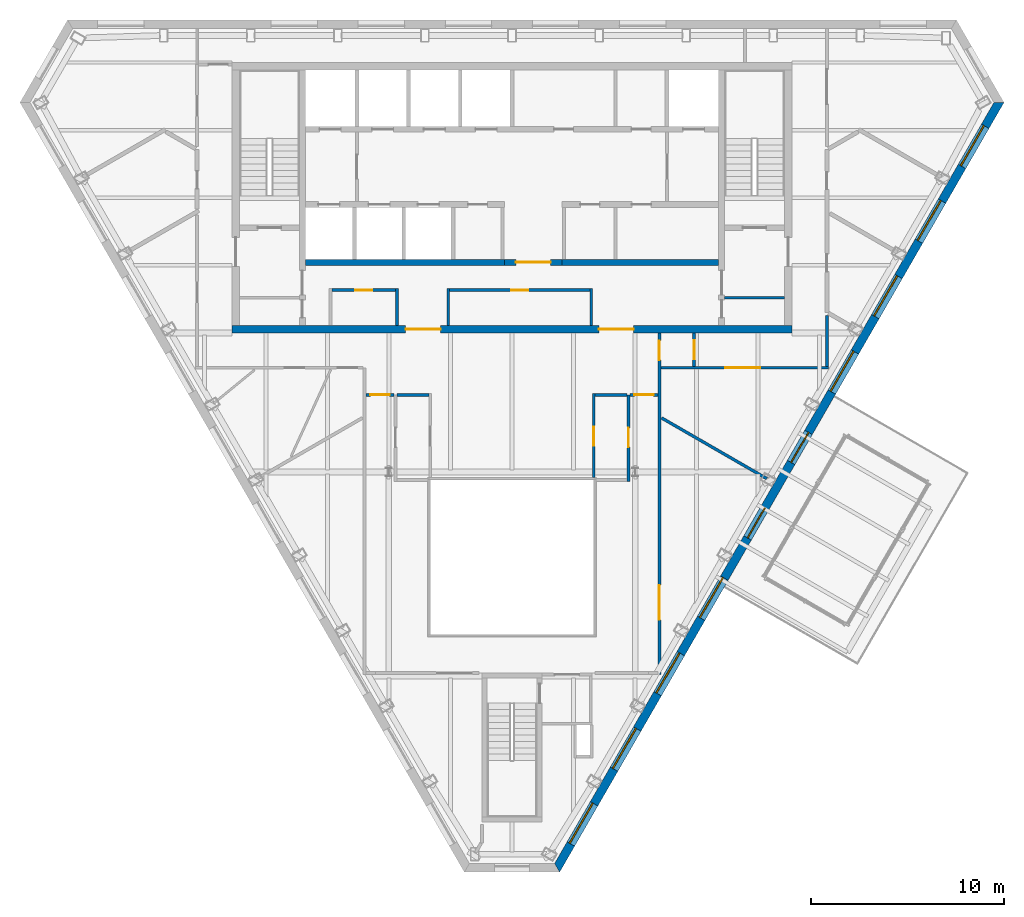
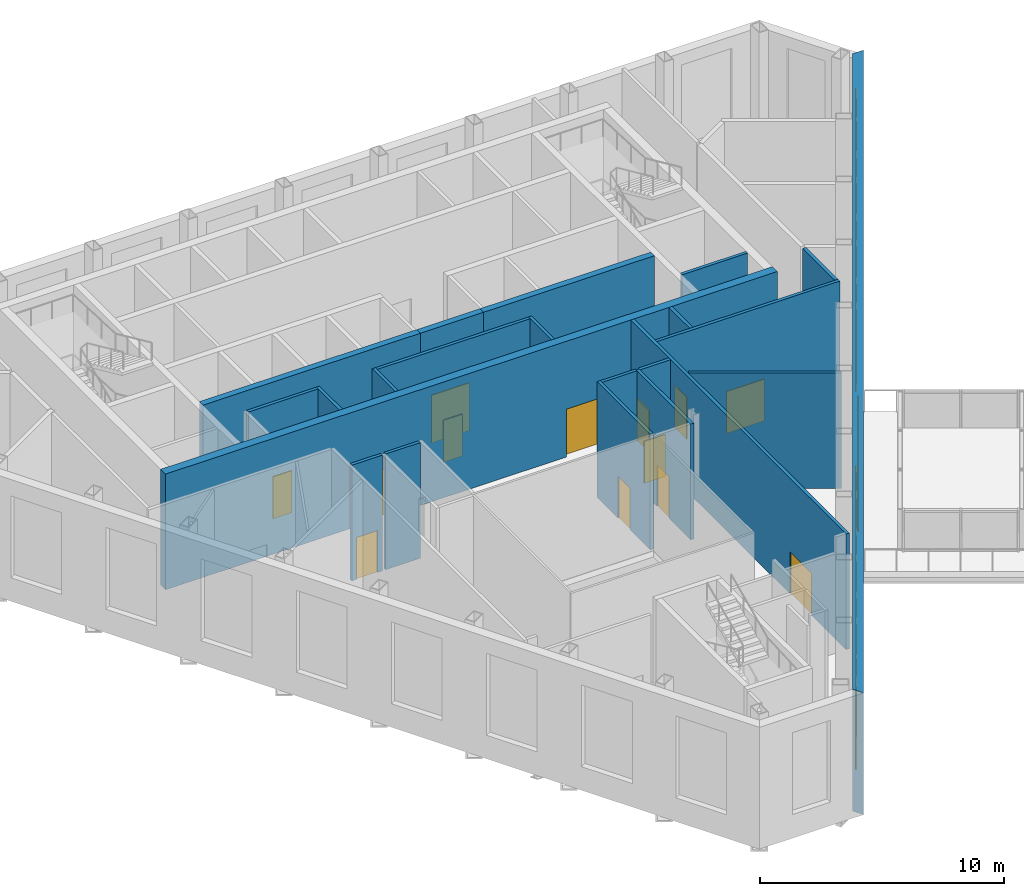
# One storey, part 6 of 11: 22 walls, 15 doors, 8 windows, 23 openings.
"""IFC4 building model written with IfcOpenShell, lengths in metres."""

from ifc_helpers import new_model, si_unit, direction, frame, frame_2d, origin, place, context, subcontext, project, spatial, polyline, rectangle, outline, extrude, material, layer, layer_set, type_object, element, fill, save


model = new_model("IFC4")

# Units and contexts
model_context = context("Model", 3, precision=1e-05, world=origin(), true_north=direction((0.0, 1.0)))
body_context = subcontext(model_context, "Body", "Model", "MODEL_VIEW")
ifc_project = project(units=[si_unit("LENGTHUNIT", "METRE"), si_unit("AREAUNIT", "SQUARE_METRE"), si_unit("VOLUMEUNIT", "CUBIC_METRE"), si_unit("PLANEANGLEUNIT", "RADIAN"), si_unit("MASSUNIT", "GRAM", prefix="KILO")], contexts=[model_context])

# Site, building, storey
site_placement = place(None, origin())
site = spatial("IfcSite", under=ifc_project, at=site_placement, CompositionType="ELEMENT")
building_placement = place(site_placement, origin())
building = spatial("IfcBuilding", under=site, at=building_placement, Name="Njiva Tower", CompositionType="ELEMENT")
storey_placement = place(building_placement, frame((0.0, 0.0, 298.2)))
storey = spatial("IfcBuildingStorey", under=building, at=storey_placement, Name="L68", CompositionType="ELEMENT", Elevation=298.2)

# Walls
ifc_material_1 = material(Name="Blockwork", Category="masonry")
ifc_layer_1 = layer(ifc_material_1, 0.15)
ifc_layer_set_1 = layer_set([ifc_layer_1], Name="Blockwork")
wall_type_1 = type_object("IfcWallType", Name="WT1 Compartment partition 150", PredefinedType="PARTITIONING", material=ifc_layer_set_1)
wall_1_placement = place(storey_placement, frame((11.0, 5.825, 0.0), z_axis=(0.0, 0.0, 1.0), x_axis=(1.0, 0.0, 0.0)))
element("IfcWall", 1, at=wall_1_placement, inside=storey, type_object=wall_type_1, Name="Room wall B", PredefinedType="PARTITIONING", context=body_context, shape_type="SweptSolid", body=[
    extrude(rectangle(XDim=3.1, YDim=0.15, at=frame_2d((1.55, 0.0))), origin(), (0.0, 0.0, 1.0), 5.8),
])
wall_2_placement = place(storey_placement, frame((-5.95, 4.4, 0.0), z_axis=(0.0, 0.0, 1.0), x_axis=(0.0, 1.0, 0.0)))
element("IfcWall", 2, at=wall_2_placement, inside=storey, type_object=wall_type_1, Name="Waiting room wall east", PredefinedType="PARTITIONING", context=body_context, shape_type="SweptSolid", body=[
    extrude(rectangle(XDim=1.895, YDim=0.15, at=frame_2d((0.9475, 0.0))), origin(), (0.0, 0.0, 1.0), 5.8),
])

# Wall, opening, door
wall_3_placement = place(storey_placement, frame((-9.325, 6.22, 0.0), z_axis=(0.0, 0.0, 1.0), x_axis=(1.0, 0.0, 0.0)))
wall_3 = element("IfcWall", 3, at=wall_3_placement, inside=storey, type_object=wall_type_1, Name="Waiting room wall north", PredefinedType="PARTITIONING", context=body_context, shape_type="SweptSolid", body=[
    extrude(rectangle(XDim=3.3, YDim=0.15, at=frame_2d((1.65, 0.0))), origin(), (0.0, 0.0, 1.0), 5.8),
])
opening_1_placement = place(wall_3_placement, frame((1.2, 0.0, 0.0)))
opening_1 = element("IfcOpeningElement", 4, at=opening_1_placement, cuts=wall_3, Name="Opening S22-D924", PredefinedType="OPENING", context=body_context, shape_type="SweptSolid", body=[
    extrude(rectangle(XDim=0.9, YDim=2.1, at=frame_2d((0.45, 1.05))), frame((0.0, 0.085, 0.0), z_axis=(0.0, -1.0, 0.0), x_axis=(1.0, 0.0, 0.0)), (0.0, 0.0, 1.0), 0.17),
])
ifc_material_2 = material(Name="Steel fire door, painted", Category="steel")
door_type_1 = type_object("IfcDoorType", Name="D6 Fire-rated door 900x2100", OperationType="SINGLE_SWING_LEFT", PredefinedType="DOOR", material=ifc_material_2)
door_1_placement = place(opening_1_placement, origin())
door_1 = element("IfcDoor", 5, at=door_1_placement, inside=storey, type_object=door_type_1, Name="Waiting room door", OperationType="SINGLE_SWING_RIGHT", OverallHeight=2.1, OverallWidth=0.9, PredefinedType="DOOR", context=body_context, shape_type="SweptSolid", body=[
    extrude(rectangle(XDim=0.9, YDim=2.1, at=frame_2d((0.45, 1.05))), frame((0.0, 0.025, 0.0), z_axis=(0.0, -1.0, 0.0), x_axis=(1.0, 0.0, 0.0)), (0.0, 0.0, 1.0), 0.05),
])
fill(opening_1, door_1)

# Walls
for number, where, z_axis, x_axis, name in (
    (6, (-3.3, 4.4, 0.0), (0.0, 0.0, 1.0), (0.0, 1.0, 0.0), "First aid room wall west"),
    (7, (4.1, 4.4, 0.0), (0.0, 0.0, 1.0), (0.0, 1.0, 0.0), "First aid room wall east"),
):
    element("IfcWall", number, at=place(storey_placement, frame(where, z_axis=z_axis, x_axis=x_axis)), inside=storey, type_object=wall_type_1, Name=name, PredefinedType="PARTITIONING", context=body_context, shape_type="SweptSolid", body=[
        extrude(rectangle(XDim=1.895, YDim=0.15, at=frame_2d((0.9475, 0.0))), origin(), (0.0, 0.0, 1.0), 5.8),
    ])

# Wall, opening, door
wall_4_placement = place(storey_placement, frame((-3.225, 6.22, 0.0), z_axis=(0.0, 0.0, 1.0), x_axis=(1.0, 0.0, 0.0)))
wall_4 = element("IfcWall", 8, at=wall_4_placement, inside=storey, type_object=wall_type_1, Name="First aid room wall north", PredefinedType="PARTITIONING", context=body_context, shape_type="SweptSolid", body=[
    extrude(rectangle(XDim=7.25, YDim=0.15, at=frame_2d((3.625, 0.0))), origin(), (0.0, 0.0, 1.0), 5.8),
])
opening_2_placement = place(wall_4_placement, frame((3.175, 0.0, 0.0)))
opening_2 = element("IfcOpeningElement", 9, at=opening_2_placement, cuts=wall_4, Name="Opening S22-D925", PredefinedType="OPENING", context=body_context, shape_type="SweptSolid", body=[
    extrude(rectangle(XDim=0.9, YDim=2.1, at=frame_2d((0.45, 1.05))), frame((0.0, 0.085, 0.0), z_axis=(0.0, -1.0, 0.0), x_axis=(1.0, 0.0, 0.0)), (0.0, 0.0, 1.0), 0.17),
])
door_2_placement = place(opening_2_placement, origin())
door_2 = element("IfcDoor", 10, at=door_2_placement, inside=storey, type_object=door_type_1, Name="First aid room door", OperationType="SINGLE_SWING_LEFT", OverallHeight=2.1, OverallWidth=0.9, PredefinedType="DOOR", context=body_context, shape_type="SweptSolid", body=[
    extrude(rectangle(XDim=0.9, YDim=2.1, at=frame_2d((0.45, 1.05))), frame((0.0, 0.025, 0.0), z_axis=(0.0, -1.0, 0.0), x_axis=(1.0, 0.0, 0.0)), (0.0, 0.0, 1.0), 0.05),
])
fill(opening_2, door_2)

# Wall, openings, doors
ifc_material_3 = material(Name="Concrete C60/75", Category="concrete")
ifc_layer_2 = layer(ifc_material_3, 0.4)
ifc_layer_set_2 = layer_set([ifc_layer_2], Name="Concrete C60/75")
wall_type_2 = type_object("IfcWallType", Name="WT11 Core wall 400", PredefinedType="SHEAR", material=ifc_layer_set_2)
wall_5_placement = place(storey_placement, frame((-14.5, 4.2, 0.0), z_axis=(0.0, 0.0, 1.0), x_axis=(1.0, 0.0, 0.0)))
wall_5 = element("IfcWall", 11, at=wall_5_placement, inside=storey, type_object=wall_type_2, Name="Core wall south", PredefinedType="SHEAR", context=body_context, shape_type="SweptSolid", body=[
    extrude(rectangle(XDim=29.0, YDim=0.4, at=frame_2d((14.5, 0.0))), origin(), (0.0, 0.0, 1.0), 5.8),
])
opening_3_placement = place(wall_5_placement, frame((9.0, 0.0, 0.0)))
opening_3 = element("IfcOpeningElement", 12, at=opening_3_placement, cuts=wall_5, Name="Opening S22-D927", PredefinedType="OPENING", context=body_context, shape_type="SweptSolid", body=[
    extrude(rectangle(XDim=1.8, YDim=2.4, at=frame_2d((0.9, 1.2))), frame((0.0, 0.21, 0.0), z_axis=(0.0, -1.0, 0.0), x_axis=(1.0, 0.0, 0.0)), (0.0, 0.0, 1.0), 0.42),
])
opening_4_placement = place(wall_5_placement, frame((19.0, 0.0, 0.0)))
opening_4 = element("IfcOpeningElement", 13, at=opening_4_placement, cuts=wall_5, Name="Opening S22-D928", PredefinedType="OPENING", context=body_context, shape_type="SweptSolid", body=[
    extrude(rectangle(XDim=1.8, YDim=2.4, at=frame_2d((0.9, 1.2))), frame((0.0, 0.21, 0.0), z_axis=(0.0, -1.0, 0.0), x_axis=(1.0, 0.0, 0.0)), (0.0, 0.0, 1.0), 0.42),
])
ifc_material_4 = material(Name="Steel and glass door", Category="steel")
door_type_2 = type_object("IfcDoorType", Name="D3 Core entrance door 1800x2400", OperationType="DOUBLE_DOOR_SINGLE_SWING", PredefinedType="DOOR", material=ifc_material_4)
door_3_placement = place(opening_3_placement, origin())
door_3 = element("IfcDoor", 14, at=door_3_placement, inside=storey, type_object=door_type_2, Name="Core entrance door", OperationType="DOUBLE_DOOR_SINGLE_SWING", OverallHeight=2.4, OverallWidth=1.8, PredefinedType="DOOR", context=body_context, shape_type="SweptSolid", body=[
    extrude(rectangle(XDim=1.8, YDim=2.4, at=frame_2d((0.9, 1.2))), frame((0.0, 0.025, 0.0), z_axis=(0.0, -1.0, 0.0), x_axis=(1.0, 0.0, 0.0)), (0.0, 0.0, 1.0), 0.05),
])
fill(opening_3, door_3)
door_4_placement = place(opening_4_placement, origin())
door_4 = element("IfcDoor", 15, at=door_4_placement, inside=storey, type_object=door_type_2, Name="Core entrance door", OperationType="DOUBLE_DOOR_SINGLE_SWING", OverallHeight=2.4, OverallWidth=1.8, PredefinedType="DOOR", context=body_context, shape_type="SweptSolid", body=[
    extrude(rectangle(XDim=1.8, YDim=2.4, at=frame_2d((0.9, 1.2))), frame((0.0, 0.025, 0.0), z_axis=(0.0, -1.0, 0.0), x_axis=(1.0, 0.0, 0.0)), (0.0, 0.0, 1.0), 0.05),
])
fill(opening_4, door_4)

# Wall, opening, door
ifc_material_5 = material(Name="Gypsum board on steel studs", Category="gypsum")
ifc_layer_3 = layer(ifc_material_5, 0.15)
ifc_layer_set_3 = layer_set([ifc_layer_3], Name="Gypsum board on steel studs")
wall_type_3 = type_object("IfcWallType", Name="WT21 Compartment wall 150", PredefinedType="PARTITIONING", material=ifc_layer_set_3)
wall_6_placement = place(storey_placement, frame((-7.555, 0.8, 0.0), z_axis=(0.0, 0.0, 1.0), x_axis=(1.0, 0.0, 0.0)))
wall_6 = element("IfcWall", 16, at=wall_6_placement, inside=storey, type_object=wall_type_3, Name="Partition S22-P015", PredefinedType="PARTITIONING", context=body_context, shape_type="SweptSolid", body=[
    extrude(rectangle(XDim=1.45, YDim=0.15, at=frame_2d((0.725, 0.0))), origin(), (0.0, 0.0, 1.0), 5.8),
])
opening_5_placement = place(wall_6_placement, frame((0.225, 0.0, 0.0)))
opening_5 = element("IfcOpeningElement", 17, at=opening_5_placement, cuts=wall_6, Name="Opening S22-D008", PredefinedType="OPENING", context=body_context, shape_type="SweptSolid", body=[
    extrude(rectangle(XDim=1.0, YDim=2.1, at=frame_2d((0.5, 1.05))), frame((0.0, 0.085, 0.0), z_axis=(0.0, -1.0, 0.0), x_axis=(1.0, 0.0, 0.0)), (0.0, 0.0, 1.0), 0.17),
])
ifc_material_6 = material(Name="Steel fire door set", Category="steel")
door_type_3 = type_object("IfcDoorType", Name="D37 Fire door 1000x2100", OperationType="SINGLE_SWING_LEFT", PredefinedType="DOOR", material=ifc_material_6)
door_5_placement = place(opening_5_placement, origin())
door_5 = element("IfcDoor", 18, at=door_5_placement, inside=storey, type_object=door_type_3, Name="Door S22-D008", OperationType="SINGLE_SWING_LEFT", OverallHeight=2.1, OverallWidth=1.0, PredefinedType="DOOR", context=body_context, shape_type="SweptSolid", body=[
    extrude(rectangle(XDim=1.0, YDim=2.1, at=frame_2d((0.5, 1.05))), frame((0.0, 0.025, 0.0), z_axis=(0.0, -1.0, 0.0), x_axis=(1.0, 0.0, 0.0)), (0.0, 0.0, 1.0), 0.05),
])
fill(opening_5, door_5)

# Wall
wall_7_placement = place(storey_placement, frame((-5.955, 0.8, 0.0), z_axis=(0.0, 0.0, 1.0), x_axis=(1.0, 0.0, 0.0)))
element("IfcWall", 19, at=wall_7_placement, inside=storey, type_object=wall_type_3, Name="Partition S22-P018", PredefinedType="PARTITIONING", context=body_context, shape_type="SweptSolid", body=[
    extrude(rectangle(XDim=1.65, YDim=0.15, at=frame_2d((0.825, 0.0))), origin(), (0.0, 0.0, 1.0), 5.8),
])

# Wall, opening, door
wall_8_placement = place(storey_placement, frame((4.23, -3.48, 0.0), z_axis=(0.0, 0.0, 1.0), x_axis=(0.0, 1.0, 0.0)))
wall_8 = element("IfcWall", 20, at=wall_8_placement, inside=storey, type_object=wall_type_3, Name="Partition S22-P022", PredefinedType="PARTITIONING", context=body_context, shape_type="SweptSolid", body=[
    extrude(rectangle(XDim=4.355, YDim=0.15, at=frame_2d((2.1775, 0.0))), origin(), (0.0, 0.0, 1.0), 5.8),
])
opening_6_placement = place(wall_8_placement, frame((1.64, 0.0, 0.0)))
opening_6 = element("IfcOpeningElement", 21, at=opening_6_placement, cuts=wall_8, Name="Opening S22-D011", PredefinedType="OPENING", context=body_context, shape_type="SweptSolid", body=[
    extrude(rectangle(XDim=1.0, YDim=2.1, at=frame_2d((0.5, 1.05))), frame((0.0, 0.085, 0.0), z_axis=(0.0, -1.0, 0.0), x_axis=(1.0, 0.0, 0.0)), (0.0, 0.0, 1.0), 0.17),
])
door_6_placement = place(opening_6_placement, origin())
door_6 = element("IfcDoor", 22, at=door_6_placement, inside=storey, type_object=door_type_3, Name="Door S22-D011", OperationType="SINGLE_SWING_RIGHT", OverallHeight=2.1, OverallWidth=1.0, PredefinedType="DOOR", context=body_context, shape_type="SweptSolid", body=[
    extrude(rectangle(XDim=1.0, YDim=2.1, at=frame_2d((0.5, 1.05))), frame((0.0, 0.025, 0.0), z_axis=(0.0, -1.0, 0.0), x_axis=(1.0, 0.0, 0.0)), (0.0, 0.0, 1.0), 0.05),
])
fill(opening_6, door_6)

# Wall
wall_9_placement = place(storey_placement, frame((4.305, 0.8, 0.0), z_axis=(0.0, 0.0, 1.0), x_axis=(1.0, 0.0, 0.0)))
element("IfcWall", 23, at=wall_9_placement, inside=storey, type_object=wall_type_3, Name="Partition S22-P024", PredefinedType="PARTITIONING", context=body_context, shape_type="SweptSolid", body=[
    extrude(rectangle(XDim=1.65, YDim=0.15, at=frame_2d((0.825, 0.0))), origin(), (0.0, 0.0, 1.0), 5.8),
])

# Wall, opening, door
wall_10_placement = place(storey_placement, frame((6.03, -3.687, 0.0), z_axis=(0.0, 0.0, 1.0), x_axis=(0.0, 1.0, 0.0)))
wall_10 = element("IfcWall", 24, at=wall_10_placement, inside=storey, type_object=wall_type_3, Name="Partition S22-P026", PredefinedType="PARTITIONING", context=body_context, shape_type="SweptSolid", body=[
    extrude(rectangle(XDim=4.487, YDim=0.15, at=frame_2d((2.2435, 0.0))), origin(), (0.0, 0.0, 1.0), 5.8),
])
opening_7_placement = place(wall_10_placement, frame((1.781, 0.0, 0.0)))
opening_7 = element("IfcOpeningElement", 25, at=opening_7_placement, cuts=wall_10, Name="Opening S22-D012", PredefinedType="OPENING", context=body_context, shape_type="SweptSolid", body=[
    extrude(rectangle(XDim=1.0, YDim=2.1, at=frame_2d((0.5, 1.05))), frame((0.0, 0.085, 0.0), z_axis=(0.0, -1.0, 0.0), x_axis=(1.0, 0.0, 0.0)), (0.0, 0.0, 1.0), 0.17),
])
door_7_placement = place(opening_7_placement, origin())
door_7 = element("IfcDoor", 26, at=door_7_placement, inside=storey, type_object=door_type_3, Name="Door S22-D012", OperationType="SINGLE_SWING_LEFT", OverallHeight=2.1, OverallWidth=1.0, PredefinedType="DOOR", context=body_context, shape_type="SweptSolid", body=[
    extrude(rectangle(XDim=1.0, YDim=2.1, at=frame_2d((0.5, 1.05))), frame((0.0, 0.025, 0.0), z_axis=(0.0, -1.0, 0.0), x_axis=(1.0, 0.0, 0.0)), (0.0, 0.0, 1.0), 0.05),
])
fill(opening_7, door_7)

wall_11_placement = place(storey_placement, frame((6.105, 0.8, 0.0), z_axis=(0.0, 0.0, 1.0), x_axis=(1.0, 0.0, 0.0)))
wall_11 = element("IfcWall", 27, at=wall_11_placement, inside=storey, type_object=wall_type_3, Name="Partition S22-P027", PredefinedType="PARTITIONING", context=body_context, shape_type="SweptSolid", body=[
    extrude(rectangle(XDim=1.45, YDim=0.15, at=frame_2d((0.725, 0.0))), origin(), (0.0, 0.0, 1.0), 5.8),
])
opening_8_placement = place(wall_11_placement, frame((0.225, 0.0, 0.0)))
opening_8 = element("IfcOpeningElement", 28, at=opening_8_placement, cuts=wall_11, Name="Opening S22-D013", PredefinedType="OPENING", context=body_context, shape_type="SweptSolid", body=[
    extrude(rectangle(XDim=1.0, YDim=2.1, at=frame_2d((0.5, 1.05))), frame((0.0, 0.085, 0.0), z_axis=(0.0, -1.0, 0.0), x_axis=(1.0, 0.0, 0.0)), (0.0, 0.0, 1.0), 0.17),
])
door_8_placement = place(opening_8_placement, origin())
door_8 = element("IfcDoor", 29, at=door_8_placement, inside=storey, type_object=door_type_3, Name="Door S22-D013", OperationType="SINGLE_SWING_LEFT", OverallHeight=2.1, OverallWidth=1.0, PredefinedType="DOOR", context=body_context, shape_type="SweptSolid", body=[
    extrude(rectangle(XDim=1.0, YDim=2.1, at=frame_2d((0.5, 1.05))), frame((0.0, 0.025, 0.0), z_axis=(0.0, -1.0, 0.0), x_axis=(1.0, 0.0, 0.0)), (0.0, 0.0, 1.0), 0.05),
])
fill(opening_8, door_8)

# Wall, openings, doors
wall_12_placement = place(storey_placement, frame((7.63, -13.675, 0.0), z_axis=(0.0, 0.0, 1.0), x_axis=(0.0, 1.0, 0.0)))
wall_12 = element("IfcWall", 30, at=wall_12_placement, inside=storey, type_object=wall_type_3, Name="Partition S22-P028", PredefinedType="PARTITIONING", context=body_context, shape_type="SweptSolid", body=[
    extrude(rectangle(XDim=17.675, YDim=0.15, at=frame_2d((8.8375, 0.0))), origin(), (0.0, 0.0, 1.0), 5.8),
])
opening_9_placement = place(wall_12_placement, frame((2.829, 0.0, 0.0)))
opening_9 = element("IfcOpeningElement", 31, at=opening_9_placement, cuts=wall_12, Name="Opening S22-D014", PredefinedType="OPENING", context=body_context, shape_type="SweptSolid", body=[
    extrude(rectangle(XDim=1.8, YDim=2.1, at=frame_2d((0.9, 1.05))), frame((0.0, 0.085, 0.0), z_axis=(0.0, -1.0, 0.0), x_axis=(1.0, 0.0, 0.0)), (0.0, 0.0, 1.0), 0.17),
])
opening_10_placement = place(wall_12_placement, frame((16.275, 0.0, 0.0)))
opening_10 = element("IfcOpeningElement", 32, at=opening_10_placement, cuts=wall_12, Name="Opening S22-D015", PredefinedType="OPENING", context=body_context, shape_type="SweptSolid", body=[
    extrude(rectangle(XDim=1.0, YDim=2.1, at=frame_2d((0.5, 1.05))), frame((0.0, 0.085, 0.0), z_axis=(0.0, -1.0, 0.0), x_axis=(1.0, 0.0, 0.0)), (0.0, 0.0, 1.0), 0.17),
])
door_9_placement = place(opening_10_placement, origin())
door_9 = element("IfcDoor", 33, at=door_9_placement, inside=storey, type_object=door_type_3, Name="Door S22-D015", OperationType="SINGLE_SWING_RIGHT", OverallHeight=2.1, OverallWidth=1.0, PredefinedType="DOOR", context=body_context, shape_type="SweptSolid", body=[
    extrude(rectangle(XDim=1.0, YDim=2.1, at=frame_2d((0.5, 1.05))), frame((0.0, 0.025, 0.0), z_axis=(0.0, -1.0, 0.0), x_axis=(1.0, 0.0, 0.0)), (0.0, 0.0, 1.0), 0.05),
])
fill(opening_10, door_9)
door_type_4 = type_object("IfcDoorType", Name="D38 Fire door 1800x2100", OperationType="DOUBLE_DOOR_SINGLE_SWING", PredefinedType="DOOR", material=ifc_material_6)
door_10_placement = place(opening_9_placement, origin())
door_10 = element("IfcDoor", 34, at=door_10_placement, inside=storey, type_object=door_type_4, Name="Door S22-D014", OperationType="DOUBLE_DOOR_SINGLE_SWING", OverallHeight=2.1, OverallWidth=1.8, PredefinedType="DOOR", context=body_context, shape_type="SweptSolid", body=[
    extrude(rectangle(XDim=1.8, YDim=2.1, at=frame_2d((0.9, 1.05))), frame((0.0, 0.025, 0.0), z_axis=(0.0, -1.0, 0.0), x_axis=(1.0, 0.0, 0.0)), (0.0, 0.0, 1.0), 0.05),
])
fill(opening_9, door_10)

# Wall, opening, door
wall_13_placement = place(storey_placement, frame((7.705, 2.2, 0.0), z_axis=(0.0, 0.0, 1.0), x_axis=(1.0, 0.0, 0.0)))
wall_13 = element("IfcWall", 35, at=wall_13_placement, inside=storey, type_object=wall_type_3, Name="Partition S22-P029", PredefinedType="PARTITIONING", context=body_context, shape_type="SweptSolid", body=[
    extrude(rectangle(XDim=8.67, YDim=0.15, at=frame_2d((4.335, 0.0))), origin(), (0.0, 0.0, 1.0), 5.8),
])
opening_11_placement = place(wall_13_placement, frame((3.335, 0.0, 0.0)))
opening_11 = element("IfcOpeningElement", 36, at=opening_11_placement, cuts=wall_13, Name="Opening S22-D016", PredefinedType="OPENING", context=body_context, shape_type="SweptSolid", body=[
    extrude(rectangle(XDim=1.8, YDim=2.1, at=frame_2d((0.9, 1.05))), frame((0.0, 0.085, 0.0), z_axis=(0.0, -1.0, 0.0), x_axis=(1.0, 0.0, 0.0)), (0.0, 0.0, 1.0), 0.17),
])
door_11_placement = place(opening_11_placement, origin())
door_11 = element("IfcDoor", 37, at=door_11_placement, inside=storey, type_object=door_type_4, Name="Door S22-D016", OperationType="DOUBLE_DOOR_SINGLE_SWING", OverallHeight=2.1, OverallWidth=1.8, PredefinedType="DOOR", context=body_context, shape_type="SweptSolid", body=[
    extrude(rectangle(XDim=1.8, YDim=2.1, at=frame_2d((0.9, 1.05))), frame((0.0, 0.025, 0.0), z_axis=(0.0, -1.0, 0.0), x_axis=(1.0, 0.0, 0.0)), (0.0, 0.0, 1.0), 0.05),
])
fill(opening_11, door_11)

# Wall
wall_14_placement = place(storey_placement, frame((7.742, -0.396, 0.0), z_axis=(0.0, 0.0, 1.0), x_axis=(0.866169692731, -0.499750000894, 0.0)))
element("IfcWall", 38, at=wall_14_placement, inside=storey, type_object=wall_type_3, Name="Partition S22-P030", PredefinedType="PARTITIONING", context=body_context, shape_type="SweptSolid", body=[
    extrude(rectangle(XDim=6.2851, YDim=0.15, at=frame_2d((3.1426, 0.0))), origin(), (0.0, 0.0, 1.0), 5.8),
])

# Wall, opening, door
wall_15_placement = place(storey_placement, frame((9.43, 2.275, 0.0), z_axis=(0.0, 0.0, 1.0), x_axis=(0.0, 1.0, 0.0)))
wall_15 = element("IfcWall", 39, at=wall_15_placement, inside=storey, type_object=wall_type_3, Name="Partition S22-P031", PredefinedType="PARTITIONING", context=body_context, shape_type="SweptSolid", body=[
    extrude(rectangle(XDim=1.725, YDim=0.15, at=frame_2d((0.8625, 0.0))), origin(), (0.0, 0.0, 1.0), 5.8),
])
opening_12_placement = place(wall_15_placement, frame((0.362, 0.0, 0.0)))
opening_12 = element("IfcOpeningElement", 40, at=opening_12_placement, cuts=wall_15, Name="Opening S22-D017", PredefinedType="OPENING", context=body_context, shape_type="SweptSolid", body=[
    extrude(rectangle(XDim=1.0, YDim=2.1, at=frame_2d((0.5, 1.05))), frame((0.0, 0.085, 0.0), z_axis=(0.0, -1.0, 0.0), x_axis=(1.0, 0.0, 0.0)), (0.0, 0.0, 1.0), 0.17),
])
door_12_placement = place(opening_12_placement, origin())
door_12 = element("IfcDoor", 41, at=door_12_placement, inside=storey, type_object=door_type_3, Name="Door S22-D017", OperationType="SINGLE_SWING_LEFT", OverallHeight=2.1, OverallWidth=1.0, PredefinedType="DOOR", context=body_context, shape_type="SweptSolid", body=[
    extrude(rectangle(XDim=1.0, YDim=2.1, at=frame_2d((0.5, 1.05))), frame((0.0, 0.025, 0.0), z_axis=(0.0, -1.0, 0.0), x_axis=(1.0, 0.0, 0.0)), (0.0, 0.0, 1.0), 0.05),
])
fill(opening_12, door_12)

# Wall
wall_16_placement = place(storey_placement, frame((16.3, 2.275, 0.0), z_axis=(0.0, 0.0, 1.0), x_axis=(0.0, 1.0, 0.0)))
element("IfcWall", 42, at=wall_16_placement, inside=storey, type_object=wall_type_3, Name="Partition S22-P033", PredefinedType="PARTITIONING", context=body_context, shape_type="SweptSolid", body=[
    extrude(rectangle(XDim=2.64, YDim=0.15, at=frame_2d((1.32, 0.0))), origin(), (0.0, 0.0, 1.0), 5.8),
])

# Wall, opening, door
ifc_layer_4 = layer(ifc_material_1, 0.3)
ifc_layer_set_4 = layer_set([ifc_layer_4], Name="Blockwork")
wall_type_4 = type_object("IfcWallType", Name="WT5 Lobby partition 300", PredefinedType="PARTITIONING", material=ifc_layer_set_4)
wall_17_placement = place(storey_placement, frame((-0.4, 7.65, 0.0), z_axis=(0.0, 0.0, 1.0), x_axis=(1.0, 0.0, 0.0)))
wall_17 = element("IfcWall", 43, at=wall_17_placement, inside=storey, type_object=wall_type_4, Name="Lift lobby screen wall", PredefinedType="PARTITIONING", context=body_context, shape_type="SweptSolid", body=[
    extrude(rectangle(XDim=3.0, YDim=0.3, at=frame_2d((1.5, 0.0))), origin(), (0.0, 0.0, 1.0), 5.8),
])
opening_13_placement = place(wall_17_placement, frame((0.6, 0.0, 0.0)))
opening_13 = element("IfcOpeningElement", 44, at=opening_13_placement, cuts=wall_17, Name="Opening S22-D926", PredefinedType="OPENING", context=body_context, shape_type="SweptSolid", body=[
    extrude(rectangle(XDim=1.8, YDim=2.4, at=frame_2d((0.9, 1.2))), frame((0.0, 0.16, 0.0), z_axis=(0.0, -1.0, 0.0), x_axis=(1.0, 0.0, 0.0)), (0.0, 0.0, 1.0), 0.32),
])
door_13_placement = place(opening_13_placement, origin())
door_13 = element("IfcDoor", 45, at=door_13_placement, inside=storey, type_object=door_type_2, Name="Core entrance door", OperationType="DOUBLE_DOOR_SINGLE_SWING", OverallHeight=2.4, OverallWidth=1.8, PredefinedType="DOOR", context=body_context, shape_type="SweptSolid", body=[
    extrude(rectangle(XDim=1.8, YDim=2.4, at=frame_2d((0.9, 1.2))), frame((0.0, 0.025, 0.0), z_axis=(0.0, -1.0, 0.0), x_axis=(1.0, 0.0, 0.0)), (0.0, 0.0, 1.0), 0.05),
])
fill(opening_13, door_13)

# Walls
ifc_material_7 = material(Name="Concrete C40/50", Category="concrete")
ifc_layer_5 = layer(ifc_material_7, 0.3)
ifc_layer_set_5 = layer_set([ifc_layer_5], Name="Concrete C40/50")
wall_type_5 = type_object("IfcWallType", Name="WT7 Lift shaft wall 300", PredefinedType="SHEAR", material=ifc_layer_set_5)
wall_18_placement = place(storey_placement, frame((-10.7, 7.65, 0.0), z_axis=(0.0, 0.0, 1.0), x_axis=(1.0, 0.0, 0.0)))
element("IfcWall", 46, at=wall_18_placement, inside=storey, type_object=wall_type_5, Name="Shaft wall south row back W", PredefinedType="SHEAR", context=body_context, shape_type="SweptSolid", body=[
    extrude(rectangle(XDim=10.3, YDim=0.3, at=frame_2d((5.15, 0.0))), origin(), (0.0, 0.0, 1.0), 5.8),
])
wall_19_placement = place(storey_placement, frame((2.6, 7.65, 0.0), z_axis=(0.0, 0.0, 1.0), x_axis=(1.0, 0.0, 0.0)))
element("IfcWall", 47, at=wall_19_placement, inside=storey, type_object=wall_type_5, Name="Shaft wall south row back E", PredefinedType="SHEAR", context=body_context, shape_type="SweptSolid", body=[
    extrude(rectangle(XDim=8.1, YDim=0.3, at=frame_2d((4.05, 0.0))), origin(), (0.0, 0.0, 1.0), 5.8),
])

# Wall, openings, doors, windows
ifc_material_8 = material(Name="Brick masonry", Category="masonry")
ifc_layer_6 = layer(ifc_material_8, 0.45)
ifc_layer_set_6 = layer_set([ifc_layer_6], Name="Brick masonry")
wall_type_6 = type_object("IfcWallType", Name="WT90 Brick pier and spandrel wall 450", PredefinedType="SOLIDWALL", material=ifc_layer_set_6)
wall_20_placement = place(storey_placement, frame((2.3351, -23.6817, -0.28), z_axis=(0.0, 0.0, 1.0), x_axis=(0.499999764979, 0.866025539474, 0.0)))
wall_20 = element("IfcWall", 48, at=wall_20_placement, inside=storey, type_object=wall_type_6, Name="Facade wall SE", PredefinedType="SOLIDWALL", context=body_context, shape_type="SweptSolid", body=[
    extrude(outline(polyline([(-0.1299, -0.225), (45.8701, -0.225), (45.6103, 0.225), (0.1299, 0.225), (-0.1299, -0.225)])), origin(), (0.0, 0.0, 1.0), 6.1),
])
opening_14_placement = place(wall_20_placement, frame((1.4242, 0.0, 1.18)))
opening_14 = element("IfcOpeningElement", 49, at=opening_14_placement, cuts=wall_20, Name="Opening S22-W20", PredefinedType="OPENING", context=body_context, shape_type="SweptSolid", body=[
    extrude(rectangle(XDim=2.4, YDim=4.1, at=frame_2d((1.2, 2.05))), frame((0.0, 0.235, 0.0), z_axis=(0.0, -1.0, 0.0), x_axis=(1.0, 0.0, 0.0)), (0.0, 0.0, 1.0), 0.47),
])
opening_15_placement = place(wall_20_placement, frame((5.8934, 0.0, 1.18)))
opening_15 = element("IfcOpeningElement", 50, at=opening_15_placement, cuts=wall_20, Name="Opening S22-W21", PredefinedType="OPENING", context=body_context, shape_type="SweptSolid", body=[
    extrude(rectangle(XDim=2.4, YDim=4.1, at=frame_2d((1.2, 2.05))), frame((0.0, 0.235, 0.0), z_axis=(0.0, -1.0, 0.0), x_axis=(1.0, 0.0, 0.0)), (0.0, 0.0, 1.0), 0.47),
])
opening_16_placement = place(wall_20_placement, frame((10.401, 0.0, 1.18)))
opening_16 = element("IfcOpeningElement", 51, at=opening_16_placement, cuts=wall_20, Name="Opening S22-W22", PredefinedType="OPENING", context=body_context, shape_type="SweptSolid", body=[
    extrude(rectangle(XDim=2.4, YDim=4.1, at=frame_2d((1.2, 2.05))), frame((0.0, 0.235, 0.0), z_axis=(0.0, -1.0, 0.0), x_axis=(1.0, 0.0, 0.0)), (0.0, 0.0, 1.0), 0.47),
])
opening_17_placement = place(wall_20_placement, frame((14.9087, 0.0, 1.18)))
opening_17 = element("IfcOpeningElement", 52, at=opening_17_placement, cuts=wall_20, Name="Opening S22-W23", PredefinedType="OPENING", context=body_context, shape_type="SweptSolid", body=[
    extrude(rectangle(XDim=2.4, YDim=4.1, at=frame_2d((1.2, 2.05))), frame((0.0, 0.235, 0.0), z_axis=(0.0, -1.0, 0.0), x_axis=(1.0, 0.0, 0.0)), (0.0, 0.0, 1.0), 0.47),
])
opening_18_placement = place(wall_20_placement, frame((19.7163, 0.0, 0.28)))
opening_18 = element("IfcOpeningElement", 53, at=opening_18_placement, cuts=wall_20, Name="Opening S22-D01", PredefinedType="OPENING", context=body_context, shape_type="SweptSolid", body=[
    extrude(rectangle(XDim=1.8, YDim=2.4, at=frame_2d((0.9, 1.2))), frame((0.0, 0.235, 0.0), z_axis=(0.0, -1.0, 0.0), x_axis=(1.0, 0.0, 0.0)), (0.0, 0.0, 1.0), 0.47),
])
opening_19_placement = place(wall_20_placement, frame((24.2239, 0.0, 0.28)))
opening_19 = element("IfcOpeningElement", 54, at=opening_19_placement, cuts=wall_20, Name="Opening S22-D02", PredefinedType="OPENING", context=body_context, shape_type="SweptSolid", body=[
    extrude(rectangle(XDim=1.8, YDim=2.4, at=frame_2d((0.9, 1.2))), frame((0.0, 0.235, 0.0), z_axis=(0.0, -1.0, 0.0), x_axis=(1.0, 0.0, 0.0)), (0.0, 0.0, 1.0), 0.47),
])
opening_20_placement = place(wall_20_placement, frame((28.4315, 0.0, 1.18)))
opening_20 = element("IfcOpeningElement", 55, at=opening_20_placement, cuts=wall_20, Name="Opening S22-W24", PredefinedType="OPENING", context=body_context, shape_type="SweptSolid", body=[
    extrude(rectangle(XDim=2.4, YDim=4.1, at=frame_2d((1.2, 2.05))), frame((0.0, 0.235, 0.0), z_axis=(0.0, -1.0, 0.0), x_axis=(1.0, 0.0, 0.0)), (0.0, 0.0, 1.0), 0.47),
])
opening_21_placement = place(wall_20_placement, frame((32.9391, 0.0, 1.18)))
opening_21 = element("IfcOpeningElement", 56, at=opening_21_placement, cuts=wall_20, Name="Opening S22-W25", PredefinedType="OPENING", context=body_context, shape_type="SweptSolid", body=[
    extrude(rectangle(XDim=2.4, YDim=4.1, at=frame_2d((1.2, 2.05))), frame((0.0, 0.235, 0.0), z_axis=(0.0, -1.0, 0.0), x_axis=(1.0, 0.0, 0.0)), (0.0, 0.0, 1.0), 0.47),
])
opening_22_placement = place(wall_20_placement, frame((37.4468, 0.0, 1.18)))
opening_22 = element("IfcOpeningElement", 57, at=opening_22_placement, cuts=wall_20, Name="Opening S22-W26", PredefinedType="OPENING", context=body_context, shape_type="SweptSolid", body=[
    extrude(rectangle(XDim=2.4, YDim=4.1, at=frame_2d((1.2, 2.05))), frame((0.0, 0.235, 0.0), z_axis=(0.0, -1.0, 0.0), x_axis=(1.0, 0.0, 0.0)), (0.0, 0.0, 1.0), 0.47),
])
opening_23_placement = place(wall_20_placement, frame((41.916, 0.0, 1.18)))
opening_23 = element("IfcOpeningElement", 58, at=opening_23_placement, cuts=wall_20, Name="Opening S22-W27", PredefinedType="OPENING", context=body_context, shape_type="SweptSolid", body=[
    extrude(rectangle(XDim=2.4, YDim=4.1, at=frame_2d((1.2, 2.05))), frame((0.0, 0.235, 0.0), z_axis=(0.0, -1.0, 0.0), x_axis=(1.0, 0.0, 0.0)), (0.0, 0.0, 1.0), 0.47),
])
ifc_material_9 = material(Name="Aluminium frame with clear glazing", Category="aluminium")
door_type_5 = type_object("IfcDoorType", Name="D91 Pool deck door 1800x2400", OperationType="DOUBLE_DOOR_SINGLE_SWING", PredefinedType="DOOR", material=ifc_material_9)
door_14_placement = place(opening_18_placement, frame((1.8, 0.0, 0.0), z_axis=(0.0, 0.0, 1.0), x_axis=(-1.0, 0.0, 0.0)))
door_14 = element("IfcDoor", 59, at=door_14_placement, inside=storey, type_object=door_type_5, Name="Pool deck door", OperationType="DOUBLE_DOOR_SINGLE_SWING", OverallHeight=2.4, OverallWidth=1.8, PredefinedType="DOOR", context=body_context, shape_type="SweptSolid", body=[
    extrude(rectangle(XDim=1.8, YDim=2.4, at=frame_2d((0.9, 1.2))), frame((0.0, 0.025, 0.0), z_axis=(0.0, -1.0, 0.0), x_axis=(1.0, 0.0, 0.0)), (0.0, 0.0, 1.0), 0.05),
])
fill(opening_18, door_14)
door_15_placement = place(opening_19_placement, frame((1.8, 0.0, 0.0), z_axis=(0.0, 0.0, 1.0), x_axis=(-1.0, 0.0, 0.0)))
door_15 = element("IfcDoor", 60, at=door_15_placement, inside=storey, type_object=door_type_5, Name="Pool deck door", OperationType="DOUBLE_DOOR_SINGLE_SWING", OverallHeight=2.4, OverallWidth=1.8, PredefinedType="DOOR", context=body_context, shape_type="SweptSolid", body=[
    extrude(rectangle(XDim=1.8, YDim=2.4, at=frame_2d((0.9, 1.2))), frame((0.0, 0.025, 0.0), z_axis=(0.0, -1.0, 0.0), x_axis=(1.0, 0.0, 0.0)), (0.0, 0.0, 1.0), 0.05),
])
fill(opening_19, door_15)
ifc_material_10 = material(Name="Clear glazing in aluminium frame", Category="aluminium")
window_type = type_object("IfcWindowType", Name="W93 Deep-set window 2400x4100", PartitioningType="SINGLE_PANEL", PredefinedType="WINDOW", material=ifc_material_10)
window_1_placement = place(opening_14_placement, origin())
window_1 = element("IfcWindow", 61, at=window_1_placement, inside=storey, type_object=window_type, Name="Window", OverallHeight=4.1, OverallWidth=2.4, PartitioningType="SINGLE_PANEL", PredefinedType="WINDOW", context=body_context, shape_type="SweptSolid", body=[
    extrude(rectangle(XDim=2.4, YDim=4.1, at=frame_2d((1.2, 2.05))), frame((0.0, 0.105, 0.0), z_axis=(0.0, -1.0, 0.0), x_axis=(1.0, 0.0, 0.0)), (0.0, 0.0, 1.0), 0.06),
])
fill(opening_14, window_1)
window_2_placement = place(opening_15_placement, origin())
window_2 = element("IfcWindow", 62, at=window_2_placement, inside=storey, type_object=window_type, Name="Window", OverallHeight=4.1, OverallWidth=2.4, PartitioningType="SINGLE_PANEL", PredefinedType="WINDOW", context=body_context, shape_type="SweptSolid", body=[
    extrude(rectangle(XDim=2.4, YDim=4.1, at=frame_2d((1.2, 2.05))), frame((0.0, 0.105, 0.0), z_axis=(0.0, -1.0, 0.0), x_axis=(1.0, 0.0, 0.0)), (0.0, 0.0, 1.0), 0.06),
])
fill(opening_15, window_2)
window_3_placement = place(opening_16_placement, origin())
window_3 = element("IfcWindow", 63, at=window_3_placement, inside=storey, type_object=window_type, Name="Window", OverallHeight=4.1, OverallWidth=2.4, PartitioningType="SINGLE_PANEL", PredefinedType="WINDOW", context=body_context, shape_type="SweptSolid", body=[
    extrude(rectangle(XDim=2.4, YDim=4.1, at=frame_2d((1.2, 2.05))), frame((0.0, 0.105, 0.0), z_axis=(0.0, -1.0, 0.0), x_axis=(1.0, 0.0, 0.0)), (0.0, 0.0, 1.0), 0.06),
])
fill(opening_16, window_3)
window_4_placement = place(opening_17_placement, origin())
window_4 = element("IfcWindow", 64, at=window_4_placement, inside=storey, type_object=window_type, Name="Window", OverallHeight=4.1, OverallWidth=2.4, PartitioningType="SINGLE_PANEL", PredefinedType="WINDOW", context=body_context, shape_type="SweptSolid", body=[
    extrude(rectangle(XDim=2.4, YDim=4.1, at=frame_2d((1.2, 2.05))), frame((0.0, 0.105, 0.0), z_axis=(0.0, -1.0, 0.0), x_axis=(1.0, 0.0, 0.0)), (0.0, 0.0, 1.0), 0.06),
])
fill(opening_17, window_4)
window_5_placement = place(opening_20_placement, origin())
window_5 = element("IfcWindow", 65, at=window_5_placement, inside=storey, type_object=window_type, Name="Window", OverallHeight=4.1, OverallWidth=2.4, PartitioningType="SINGLE_PANEL", PredefinedType="WINDOW", context=body_context, shape_type="SweptSolid", body=[
    extrude(rectangle(XDim=2.4, YDim=4.1, at=frame_2d((1.2, 2.05))), frame((0.0, 0.105, 0.0), z_axis=(0.0, -1.0, 0.0), x_axis=(1.0, 0.0, 0.0)), (0.0, 0.0, 1.0), 0.06),
])
fill(opening_20, window_5)
window_6_placement = place(opening_21_placement, origin())
window_6 = element("IfcWindow", 66, at=window_6_placement, inside=storey, type_object=window_type, Name="Window", OverallHeight=4.1, OverallWidth=2.4, PartitioningType="SINGLE_PANEL", PredefinedType="WINDOW", context=body_context, shape_type="SweptSolid", body=[
    extrude(rectangle(XDim=2.4, YDim=4.1, at=frame_2d((1.2, 2.05))), frame((0.0, 0.105, 0.0), z_axis=(0.0, -1.0, 0.0), x_axis=(1.0, 0.0, 0.0)), (0.0, 0.0, 1.0), 0.06),
])
fill(opening_21, window_6)
window_7_placement = place(opening_22_placement, origin())
window_7 = element("IfcWindow", 67, at=window_7_placement, inside=storey, type_object=window_type, Name="Window", OverallHeight=4.1, OverallWidth=2.4, PartitioningType="SINGLE_PANEL", PredefinedType="WINDOW", context=body_context, shape_type="SweptSolid", body=[
    extrude(rectangle(XDim=2.4, YDim=4.1, at=frame_2d((1.2, 2.05))), frame((0.0, 0.105, 0.0), z_axis=(0.0, -1.0, 0.0), x_axis=(1.0, 0.0, 0.0)), (0.0, 0.0, 1.0), 0.06),
])
fill(opening_22, window_7)
window_8_placement = place(opening_23_placement, origin())
window_8 = element("IfcWindow", 68, at=window_8_placement, inside=storey, type_object=window_type, Name="Window", OverallHeight=4.1, OverallWidth=2.4, PartitioningType="SINGLE_PANEL", PredefinedType="WINDOW", context=body_context, shape_type="SweptSolid", body=[
    extrude(rectangle(XDim=2.4, YDim=4.1, at=frame_2d((1.2, 2.05))), frame((0.0, 0.105, 0.0), z_axis=(0.0, -1.0, 0.0), x_axis=(1.0, 0.0, 0.0)), (0.0, 0.0, 1.0), 0.06),
])
fill(opening_23, window_8)

save(model, "model.ifc")
